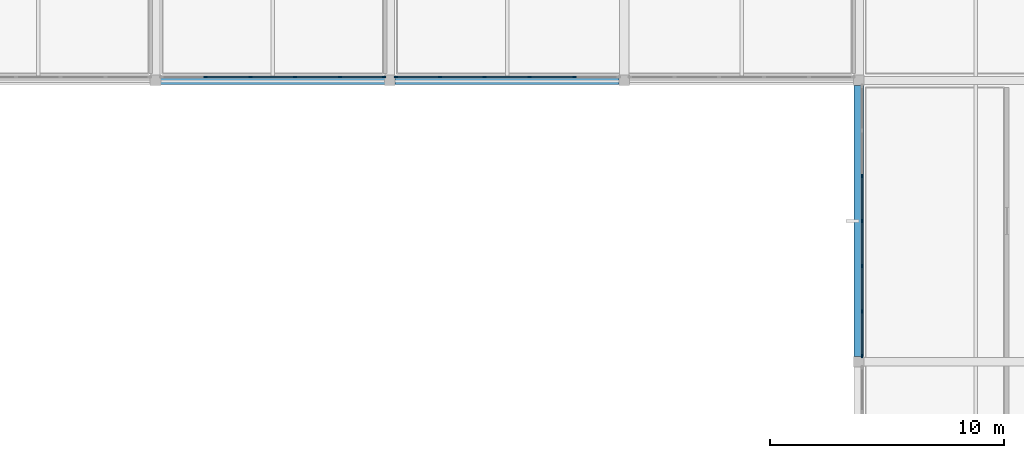
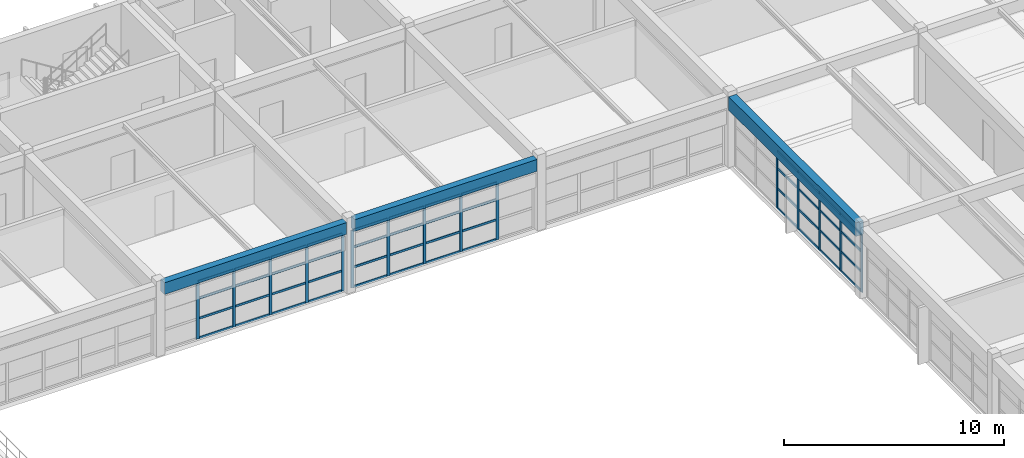
# One storey, part 6 of 21: 63 members, 3 beams, 3 elements without a shape of their own.
"""IFC4 building model written with IfcOpenShell, lengths in metres."""

from ifc_helpers import new_model, si_unit, direction, frame, origin, origin_2d, place, context, subcontext, project, spatial, rectangle, extrude, material, layer, layer_set, material_profile, profile_set, type_object, element, aggregate, save


model = new_model("IFC4")

# Units and contexts
model_context = context("Model", 3, precision=1e-05, world=origin(), true_north=direction((0.0, 1.0)))
body_context = subcontext(model_context, "Body", "Model", "MODEL_VIEW")
ifc_project = project(units=[si_unit("LENGTHUNIT", "METRE"), si_unit("AREAUNIT", "SQUARE_METRE"), si_unit("VOLUMEUNIT", "CUBIC_METRE"), si_unit("PLANEANGLEUNIT", "RADIAN"), si_unit("MASSUNIT", "GRAM", prefix="KILO")], contexts=[model_context])

# Site, building, storey
site_placement = place(None, origin())
site = spatial("IfcSite", under=ifc_project, at=site_placement, CompositionType="ELEMENT")
building_placement = place(site_placement, origin())
building = spatial("IfcBuilding", under=site, at=building_placement, Name="Kivolera Central Railway Station", CompositionType="ELEMENT")
storey_placement = place(building_placement, frame((0.0, 0.0, 22.800048828125)))
storey = spatial("IfcBuildingStorey", under=building, at=storey_placement, Name="L05", CompositionType="ELEMENT", Elevation=22.800048828125)

# Beams
ifc_material_1 = material(Name="Concrete C40/50", Category="concrete")
ifc_material_profile_1 = material_profile(ifc_material_1, rectangle(XDim=0.35009765625, YDim=0.64990234375, at=origin_2d()), Name="RC 350x650")
ifc_profile_set_1 = profile_set([ifc_material_profile_1], Name="Concrete C40/50")
beam_type_1 = type_object("IfcBeamType", Name="BM-RC-350x650", PredefinedType="BEAM", material=ifc_profile_set_1)
for number, where, z_axis, x_axis, name in (
    (1, (148.217041015625, 114.0, 3.625), (1.0, 0.0, 0.0), (0.0, 1.0, 0.0), "L05 Wing X-Beam K:15-16"),
    (2, (158.217041015625, 114.0, 3.625), (1.0, 0.0, 0.0), (0.0, 1.0, 0.0), "L05 Wing X-Beam K:16-17"),
):
    element("IfcBeam", number, at=place(storey_placement, frame(where, z_axis=z_axis, x_axis=x_axis)), inside=storey, type_object=beam_type_1, Name=name, PredefinedType="BEAM", context=body_context, shape_type="SweptSolid", body=[
        extrude(rectangle(XDim=0.35009765625, YDim=0.64990234375, at=origin_2d()), origin(), (0.0, 0.0, 1.0), 9.56591796875),
    ])
ifc_material_profile_2 = material_profile(ifc_material_1, rectangle(XDim=0.39990234375, YDim=0.75, at=origin_2d()), Name="RC 400x750")
ifc_profile_set_2 = profile_set([ifc_material_profile_2], Name="Concrete C40/50")
beam_type_2 = type_object("IfcBeamType", Name="BM-RC-400x750", PredefinedType="BEAM", material=ifc_profile_set_2)
beam_placement = place(storey_placement, frame((178.0, 102.217041015625, 3.574951171875), z_axis=(0.0, 1.0, 0.0), x_axis=(-1.0, 0.0, 0.0)))
element("IfcBeam", 3, at=beam_placement, inside=storey, type_object=beam_type_2, Name="L05 Wing Y-Beam 18:J-K", PredefinedType="BEAM", context=body_context, shape_type="SweptSolid", body=[
    extrude(rectangle(XDim=0.39990234375, YDim=0.75, at=origin_2d()), origin(), (0.0, 0.0, 1.0), 11.56591796875),
])

# Curtain wall, members
ifc_material_2 = material(Name="Anodised aluminium", Category="aluminium")
ifc_layer_1 = layer(ifc_material_2, 0.179931640625, Name="Anodised aluminium")
ifc_layer_set_1 = layer_set([ifc_layer_1], Name="Anodised aluminium")
curtain_wall_type_1 = type_object("IfcCurtainWallType", Name="CW-SYS-34", PredefinedType="NOTDEFINED", material=ifc_layer_set_1)
curtain_wall_1_placement = place(storey_placement, origin())
curtain_wall_1 = element("IfcCurtainWall", 4, at=curtain_wall_1_placement, inside=storey, type_object=curtain_wall_type_1, Name="L05 Curtain Wall CW-L05-CRTN-148", PredefinedType="NOTDEFINED")
ifc_material_profile_3 = material_profile(ifc_material_2, rectangle(XDim=0.06005859375, YDim=0.14990234375, at=origin_2d()), Name="ALU MULL 60x150")
ifc_profile_set_3 = profile_set([ifc_material_profile_3], Name="Anodised aluminium")
member_type_1 = type_object("IfcMemberType", Name="CWM-MUL-2", PredefinedType="MULLION", material=ifc_profile_set_3)
member_1_placement = place(storey_placement, frame((157.75, 114.135009765625, -0.005126953125), z_axis=(0.0, 0.0, 1.0), x_axis=(0.0, -1.0, 0.0)))
member_1 = element("IfcMember", 5, at=member_1_placement, type_object=member_type_1, Name="CW-34 mullion 1", PredefinedType="MULLION", context=body_context, shape_type="SweptSolid", body=[
    extrude(rectangle(XDim=0.06005859375, YDim=0.14990234375, at=origin_2d()), origin(), (0.0, 0.0, 1.0), 3.193115234375),
])
member_2_placement = place(storey_placement, frame((155.867919921875, 114.135009765625, -0.005126953125), z_axis=(0.0, 0.0, 1.0), x_axis=(0.0, -1.0, 0.0)))
member_2 = element("IfcMember", 6, at=member_2_placement, type_object=member_type_1, Name="CW-34 mullion 2", PredefinedType="MULLION", context=body_context, shape_type="SweptSolid", body=[
    extrude(rectangle(XDim=0.06005859375, YDim=0.14990234375, at=origin_2d()), origin(), (0.0, 0.0, 1.0), 3.193115234375),
])
member_3_placement = place(storey_placement, frame((153.9560546875, 114.135009765625, -0.005126953125), z_axis=(0.0, 0.0, 1.0), x_axis=(0.0, -1.0, 0.0)))
member_3 = element("IfcMember", 7, at=member_3_placement, type_object=member_type_1, Name="CW-34 mullion 3", PredefinedType="MULLION", context=body_context, shape_type="SweptSolid", body=[
    extrude(rectangle(XDim=0.06005859375, YDim=0.14990234375, at=origin_2d()), origin(), (0.0, 0.0, 1.0), 3.193115234375),
])
member_4_placement = place(storey_placement, frame((152.0439453125, 114.135009765625, -0.005126953125), z_axis=(0.0, 0.0, 1.0), x_axis=(0.0, -1.0, 0.0)))
member_4 = element("IfcMember", 8, at=member_4_placement, type_object=member_type_1, Name="CW-34 mullion 4", PredefinedType="MULLION", context=body_context, shape_type="SweptSolid", body=[
    extrude(rectangle(XDim=0.06005859375, YDim=0.14990234375, at=origin_2d()), origin(), (0.0, 0.0, 1.0), 3.193115234375),
])
member_5_placement = place(storey_placement, frame((150.132080078125, 114.135009765625, -0.005126953125), z_axis=(0.0, 0.0, 1.0), x_axis=(0.0, -1.0, 0.0)))
member_5 = element("IfcMember", 9, at=member_5_placement, type_object=member_type_1, Name="CW-34 mullion 5", PredefinedType="MULLION", context=body_context, shape_type="SweptSolid", body=[
    extrude(rectangle(XDim=0.06005859375, YDim=0.14990234375, at=origin_2d()), origin(), (0.0, 0.0, 1.0), 3.193115234375),
])

curtain_wall_2_placement = place(storey_placement, origin())
curtain_wall_2 = element("IfcCurtainWall", 10, at=curtain_wall_2_placement, inside=storey, type_object=curtain_wall_type_1, Name="L05 Curtain Wall CW-L05-CRTN-158", PredefinedType="NOTDEFINED")
member_6_placement = place(storey_placement, frame((165.867919921875, 114.135009765625, -0.005126953125), z_axis=(0.0, 0.0, 1.0), x_axis=(0.0, -1.0, 0.0)))
member_6 = element("IfcMember", 11, at=member_6_placement, type_object=member_type_1, Name="CW-34 mullion 2", PredefinedType="MULLION", context=body_context, shape_type="SweptSolid", body=[
    extrude(rectangle(XDim=0.06005859375, YDim=0.14990234375, at=origin_2d()), origin(), (0.0, 0.0, 1.0), 3.193115234375),
])
member_7_placement = place(storey_placement, frame((163.9560546875, 114.135009765625, -0.005126953125), z_axis=(0.0, 0.0, 1.0), x_axis=(0.0, -1.0, 0.0)))
member_7 = element("IfcMember", 12, at=member_7_placement, type_object=member_type_1, Name="CW-34 mullion 3", PredefinedType="MULLION", context=body_context, shape_type="SweptSolid", body=[
    extrude(rectangle(XDim=0.06005859375, YDim=0.14990234375, at=origin_2d()), origin(), (0.0, 0.0, 1.0), 3.193115234375),
])
member_8_placement = place(storey_placement, frame((162.0439453125, 114.135009765625, -0.005126953125), z_axis=(0.0, 0.0, 1.0), x_axis=(0.0, -1.0, 0.0)))
member_8 = element("IfcMember", 13, at=member_8_placement, type_object=member_type_1, Name="CW-34 mullion 4", PredefinedType="MULLION", context=body_context, shape_type="SweptSolid", body=[
    extrude(rectangle(XDim=0.06005859375, YDim=0.14990234375, at=origin_2d()), origin(), (0.0, 0.0, 1.0), 3.193115234375),
])
member_9_placement = place(storey_placement, frame((160.132080078125, 114.135009765625, -0.005126953125), z_axis=(0.0, 0.0, 1.0), x_axis=(0.0, -1.0, 0.0)))
member_9 = element("IfcMember", 14, at=member_9_placement, type_object=member_type_1, Name="CW-34 mullion 5", PredefinedType="MULLION", context=body_context, shape_type="SweptSolid", body=[
    extrude(rectangle(XDim=0.06005859375, YDim=0.14990234375, at=origin_2d()), origin(), (0.0, 0.0, 1.0), 3.193115234375),
])
member_10_placement = place(storey_placement, frame((158.25, 114.135009765625, -0.005126953125), z_axis=(0.0, 0.0, 1.0), x_axis=(0.0, -1.0, 0.0)))
member_10 = element("IfcMember", 15, at=member_10_placement, type_object=member_type_1, Name="CW-34 mullion 6", PredefinedType="MULLION", context=body_context, shape_type="SweptSolid", body=[
    extrude(rectangle(XDim=0.06005859375, YDim=0.14990234375, at=origin_2d()), origin(), (0.0, 0.0, 1.0), 3.193115234375),
])

ifc_layer_2 = layer(ifc_material_2, 0.179931640625, Name="Anodised aluminium")
ifc_layer_set_2 = layer_set([ifc_layer_2], Name="Anodised aluminium")
curtain_wall_type_2 = type_object("IfcCurtainWallType", Name="CW-SYS-35", PredefinedType="NOTDEFINED", material=ifc_layer_set_2)
curtain_wall_3_placement = place(storey_placement, origin())
curtain_wall_3 = element("IfcCurtainWall", 16, at=curtain_wall_3_placement, inside=storey, type_object=curtain_wall_type_2, Name="L05 Curtain Wall CW-L05-CRTE-J", PredefinedType="NOTDEFINED")
member_11_placement = place(storey_placement, frame((178.135009765625, 102.25, -0.005126953125), z_axis=(0.0, 0.0, 1.0), x_axis=(-1.0, 0.0, 0.0)))
member_11 = element("IfcMember", 17, at=member_11_placement, type_object=member_type_1, Name="CW-35 mullion 1", PredefinedType="MULLION", context=body_context, shape_type="SweptSolid", body=[
    extrude(rectangle(XDim=0.06005859375, YDim=0.14990234375, at=origin_2d()), origin(), (0.0, 0.0, 1.0), 3.193115234375),
])
member_12_placement = place(storey_placement, frame((178.135009765625, 104.146728515625, -0.005126953125), z_axis=(0.0, 0.0, 1.0), x_axis=(-1.0, 0.0, 0.0)))
member_12 = element("IfcMember", 18, at=member_12_placement, type_object=member_type_1, Name="CW-35 mullion 2", PredefinedType="MULLION", context=body_context, shape_type="SweptSolid", body=[
    extrude(rectangle(XDim=0.06005859375, YDim=0.14990234375, at=origin_2d()), origin(), (0.0, 0.0, 1.0), 3.193115234375),
])
member_13_placement = place(storey_placement, frame((178.135009765625, 106.0732421875, -0.005126953125), z_axis=(0.0, 0.0, 1.0), x_axis=(-1.0, 0.0, 0.0)))
member_13 = element("IfcMember", 19, at=member_13_placement, type_object=member_type_1, Name="CW-35 mullion 3", PredefinedType="MULLION", context=body_context, shape_type="SweptSolid", body=[
    extrude(rectangle(XDim=0.06005859375, YDim=0.14990234375, at=origin_2d()), origin(), (0.0, 0.0, 1.0), 3.193115234375),
])
member_14_placement = place(storey_placement, frame((178.135009765625, 108.0, -0.005126953125), z_axis=(0.0, 0.0, 1.0), x_axis=(-1.0, 0.0, 0.0)))
member_14 = element("IfcMember", 20, at=member_14_placement, type_object=member_type_1, Name="CW-35 mullion 4", PredefinedType="MULLION", context=body_context, shape_type="SweptSolid", body=[
    extrude(rectangle(XDim=0.06005859375, YDim=0.14990234375, at=origin_2d()), origin(), (0.0, 0.0, 1.0), 3.193115234375),
])
member_15_placement = place(storey_placement, frame((178.135009765625, 109.9267578125, -0.005126953125), z_axis=(0.0, 0.0, 1.0), x_axis=(-1.0, 0.0, 0.0)))
member_15 = element("IfcMember", 21, at=member_15_placement, type_object=member_type_1, Name="CW-35 mullion 5", PredefinedType="MULLION", context=body_context, shape_type="SweptSolid", body=[
    extrude(rectangle(XDim=0.06005859375, YDim=0.14990234375, at=origin_2d()), origin(), (0.0, 0.0, 1.0), 3.193115234375),
])

# Member
ifc_material_profile_4 = material_profile(ifc_material_2, rectangle(XDim=0.06005859375, YDim=0.1201171875, at=origin_2d()), Name="ALU TRAN 60x120")
ifc_profile_set_4 = profile_set([ifc_material_profile_4], Name="Anodised aluminium")
member_type_2 = type_object("IfcMemberType", Name="CWM-TRN-2", PredefinedType="USERDEFINED", material=ifc_profile_set_4)
member_16_placement = place(storey_placement, frame((157.719970703125, 114.135009765625, 0.030029296875), z_axis=(-1.0, 0.0, 0.0), x_axis=(0.0, -1.0, 0.0)))
member_16 = element("IfcMember", 22, at=member_16_placement, type_object=member_type_2, Name="CW-34 transom 1.1", ObjectType="TRANSOM", PredefinedType="USERDEFINED", context=body_context, shape_type="SweptSolid", body=[
    extrude(rectangle(XDim=0.06005859375, YDim=0.1201171875, at=origin_2d()), origin(), (0.0, 0.0, 1.0), 1.822021484375),
])

member_17_placement = place(storey_placement, frame((157.719970703125, 114.135009765625, 1.11572265625), z_axis=(-1.0, 0.0, 0.0), x_axis=(0.0, -1.0, 0.0)))
member_17 = element("IfcMember", 23, at=member_17_placement, type_object=member_type_2, Name="CW-34 transom 1.2", ObjectType="TRANSOM", PredefinedType="USERDEFINED", context=body_context, shape_type="SweptSolid", body=[
    extrude(rectangle(XDim=0.06005859375, YDim=0.1201171875, at=origin_2d()), origin(), (0.0, 0.0, 1.0), 1.822021484375),
])

member_18_placement = place(storey_placement, frame((157.719970703125, 114.135009765625, 2.2314453125), z_axis=(-1.0, 0.0, 0.0), x_axis=(0.0, -1.0, 0.0)))
member_18 = element("IfcMember", 24, at=member_18_placement, type_object=member_type_2, Name="CW-34 transom 1.3", ObjectType="TRANSOM", PredefinedType="USERDEFINED", context=body_context, shape_type="SweptSolid", body=[
    extrude(rectangle(XDim=0.06005859375, YDim=0.1201171875, at=origin_2d()), origin(), (0.0, 0.0, 1.0), 1.822021484375),
])

member_19_placement = place(storey_placement, frame((157.719970703125, 114.135009765625, 3.157958984375), z_axis=(-1.0, 0.0, 0.0), x_axis=(0.0, -1.0, 0.0)))
member_19 = element("IfcMember", 25, at=member_19_placement, type_object=member_type_2, Name="CW-34 transom 1.4", ObjectType="TRANSOM", PredefinedType="USERDEFINED", context=body_context, shape_type="SweptSolid", body=[
    extrude(rectangle(XDim=0.06005859375, YDim=0.1201171875, at=origin_2d()), origin(), (0.0, 0.0, 1.0), 1.822021484375),
])

member_20_placement = place(storey_placement, frame((155.837890625, 114.135009765625, 0.030029296875), z_axis=(-1.0, 0.0, 0.0), x_axis=(0.0, -1.0, 0.0)))
member_20 = element("IfcMember", 26, at=member_20_placement, type_object=member_type_2, Name="CW-34 transom 2.1", ObjectType="TRANSOM", PredefinedType="USERDEFINED", context=body_context, shape_type="SweptSolid", body=[
    extrude(rectangle(XDim=0.06005859375, YDim=0.1201171875, at=origin_2d()), origin(), (0.0, 0.0, 1.0), 1.851806640625),
])

member_21_placement = place(storey_placement, frame((155.837890625, 114.135009765625, 1.11572265625), z_axis=(-1.0, 0.0, 0.0), x_axis=(0.0, -1.0, 0.0)))
member_21 = element("IfcMember", 27, at=member_21_placement, type_object=member_type_2, Name="CW-34 transom 2.2", ObjectType="TRANSOM", PredefinedType="USERDEFINED", context=body_context, shape_type="SweptSolid", body=[
    extrude(rectangle(XDim=0.06005859375, YDim=0.1201171875, at=origin_2d()), origin(), (0.0, 0.0, 1.0), 1.851806640625),
])

member_22_placement = place(storey_placement, frame((155.837890625, 114.135009765625, 2.2314453125), z_axis=(-1.0, 0.0, 0.0), x_axis=(0.0, -1.0, 0.0)))
member_22 = element("IfcMember", 28, at=member_22_placement, type_object=member_type_2, Name="CW-34 transom 2.3", ObjectType="TRANSOM", PredefinedType="USERDEFINED", context=body_context, shape_type="SweptSolid", body=[
    extrude(rectangle(XDim=0.06005859375, YDim=0.1201171875, at=origin_2d()), origin(), (0.0, 0.0, 1.0), 1.851806640625),
])

member_23_placement = place(storey_placement, frame((155.837890625, 114.135009765625, 3.157958984375), z_axis=(-1.0, 0.0, 0.0), x_axis=(0.0, -1.0, 0.0)))
member_23 = element("IfcMember", 29, at=member_23_placement, type_object=member_type_2, Name="CW-34 transom 2.4", ObjectType="TRANSOM", PredefinedType="USERDEFINED", context=body_context, shape_type="SweptSolid", body=[
    extrude(rectangle(XDim=0.06005859375, YDim=0.1201171875, at=origin_2d()), origin(), (0.0, 0.0, 1.0), 1.851806640625),
])

member_24_placement = place(storey_placement, frame((153.926025390625, 114.135009765625, 0.030029296875), z_axis=(-1.0, 0.0, 0.0), x_axis=(0.0, -1.0, 0.0)))
member_24 = element("IfcMember", 30, at=member_24_placement, type_object=member_type_2, Name="CW-34 transom 3.1", ObjectType="TRANSOM", PredefinedType="USERDEFINED", context=body_context, shape_type="SweptSolid", body=[
    extrude(rectangle(XDim=0.06005859375, YDim=0.1201171875, at=origin_2d()), origin(), (0.0, 0.0, 1.0), 1.85205078125),
])

member_25_placement = place(storey_placement, frame((153.926025390625, 114.135009765625, 1.11572265625), z_axis=(-1.0, 0.0, 0.0), x_axis=(0.0, -1.0, 0.0)))
member_25 = element("IfcMember", 31, at=member_25_placement, type_object=member_type_2, Name="CW-34 transom 3.2", ObjectType="TRANSOM", PredefinedType="USERDEFINED", context=body_context, shape_type="SweptSolid", body=[
    extrude(rectangle(XDim=0.06005859375, YDim=0.1201171875, at=origin_2d()), origin(), (0.0, 0.0, 1.0), 1.85205078125),
])

member_26_placement = place(storey_placement, frame((153.926025390625, 114.135009765625, 2.2314453125), z_axis=(-1.0, 0.0, 0.0), x_axis=(0.0, -1.0, 0.0)))
member_26 = element("IfcMember", 32, at=member_26_placement, type_object=member_type_2, Name="CW-34 transom 3.3", ObjectType="TRANSOM", PredefinedType="USERDEFINED", context=body_context, shape_type="SweptSolid", body=[
    extrude(rectangle(XDim=0.06005859375, YDim=0.1201171875, at=origin_2d()), origin(), (0.0, 0.0, 1.0), 1.85205078125),
])

member_27_placement = place(storey_placement, frame((153.926025390625, 114.135009765625, 3.157958984375), z_axis=(-1.0, 0.0, 0.0), x_axis=(0.0, -1.0, 0.0)))
member_27 = element("IfcMember", 33, at=member_27_placement, type_object=member_type_2, Name="CW-34 transom 3.4", ObjectType="TRANSOM", PredefinedType="USERDEFINED", context=body_context, shape_type="SweptSolid", body=[
    extrude(rectangle(XDim=0.06005859375, YDim=0.1201171875, at=origin_2d()), origin(), (0.0, 0.0, 1.0), 1.85205078125),
])

member_28_placement = place(storey_placement, frame((152.013916015625, 114.135009765625, 0.030029296875), z_axis=(-1.0, 0.0, 0.0), x_axis=(0.0, -1.0, 0.0)))
member_28 = element("IfcMember", 34, at=member_28_placement, type_object=member_type_2, Name="CW-34 transom 4.1", ObjectType="TRANSOM", PredefinedType="USERDEFINED", context=body_context, shape_type="SweptSolid", body=[
    extrude(rectangle(XDim=0.06005859375, YDim=0.1201171875, at=origin_2d()), origin(), (0.0, 0.0, 1.0), 1.851806640625),
])

member_29_placement = place(storey_placement, frame((152.013916015625, 114.135009765625, 1.11572265625), z_axis=(-1.0, 0.0, 0.0), x_axis=(0.0, -1.0, 0.0)))
member_29 = element("IfcMember", 35, at=member_29_placement, type_object=member_type_2, Name="CW-34 transom 4.2", ObjectType="TRANSOM", PredefinedType="USERDEFINED", context=body_context, shape_type="SweptSolid", body=[
    extrude(rectangle(XDim=0.06005859375, YDim=0.1201171875, at=origin_2d()), origin(), (0.0, 0.0, 1.0), 1.851806640625),
])

member_30_placement = place(storey_placement, frame((152.013916015625, 114.135009765625, 2.2314453125), z_axis=(-1.0, 0.0, 0.0), x_axis=(0.0, -1.0, 0.0)))
member_30 = element("IfcMember", 36, at=member_30_placement, type_object=member_type_2, Name="CW-34 transom 4.3", ObjectType="TRANSOM", PredefinedType="USERDEFINED", context=body_context, shape_type="SweptSolid", body=[
    extrude(rectangle(XDim=0.06005859375, YDim=0.1201171875, at=origin_2d()), origin(), (0.0, 0.0, 1.0), 1.851806640625),
])

member_31_placement = place(storey_placement, frame((152.013916015625, 114.135009765625, 3.157958984375), z_axis=(-1.0, 0.0, 0.0), x_axis=(0.0, -1.0, 0.0)))
member_31 = element("IfcMember", 37, at=member_31_placement, type_object=member_type_2, Name="CW-34 transom 4.4", ObjectType="TRANSOM", PredefinedType="USERDEFINED", context=body_context, shape_type="SweptSolid", body=[
    extrude(rectangle(XDim=0.06005859375, YDim=0.1201171875, at=origin_2d()), origin(), (0.0, 0.0, 1.0), 1.851806640625),
])

aggregate(curtain_wall_1, [member_1, member_2, member_3, member_4, member_5, member_16, member_17, member_18, member_19, member_20, member_21, member_22, member_23, member_24, member_25, member_26, member_27, member_28, member_29, member_30, member_31])

member_32_placement = place(storey_placement, frame((165.837890625, 114.135009765625, 0.030029296875), z_axis=(-1.0, 0.0, 0.0), x_axis=(0.0, -1.0, 0.0)))
member_32 = element("IfcMember", 38, at=member_32_placement, type_object=member_type_2, Name="CW-34 transom 2.1", ObjectType="TRANSOM", PredefinedType="USERDEFINED", context=body_context, shape_type="SweptSolid", body=[
    extrude(rectangle(XDim=0.06005859375, YDim=0.1201171875, at=origin_2d()), origin(), (0.0, 0.0, 1.0), 1.851806640625),
])

member_33_placement = place(storey_placement, frame((165.837890625, 114.135009765625, 1.11572265625), z_axis=(-1.0, 0.0, 0.0), x_axis=(0.0, -1.0, 0.0)))
member_33 = element("IfcMember", 39, at=member_33_placement, type_object=member_type_2, Name="CW-34 transom 2.2", ObjectType="TRANSOM", PredefinedType="USERDEFINED", context=body_context, shape_type="SweptSolid", body=[
    extrude(rectangle(XDim=0.06005859375, YDim=0.1201171875, at=origin_2d()), origin(), (0.0, 0.0, 1.0), 1.851806640625),
])

member_34_placement = place(storey_placement, frame((165.837890625, 114.135009765625, 2.2314453125), z_axis=(-1.0, 0.0, 0.0), x_axis=(0.0, -1.0, 0.0)))
member_34 = element("IfcMember", 40, at=member_34_placement, type_object=member_type_2, Name="CW-34 transom 2.3", ObjectType="TRANSOM", PredefinedType="USERDEFINED", context=body_context, shape_type="SweptSolid", body=[
    extrude(rectangle(XDim=0.06005859375, YDim=0.1201171875, at=origin_2d()), origin(), (0.0, 0.0, 1.0), 1.851806640625),
])

member_35_placement = place(storey_placement, frame((165.837890625, 114.135009765625, 3.157958984375), z_axis=(-1.0, 0.0, 0.0), x_axis=(0.0, -1.0, 0.0)))
member_35 = element("IfcMember", 41, at=member_35_placement, type_object=member_type_2, Name="CW-34 transom 2.4", ObjectType="TRANSOM", PredefinedType="USERDEFINED", context=body_context, shape_type="SweptSolid", body=[
    extrude(rectangle(XDim=0.06005859375, YDim=0.1201171875, at=origin_2d()), origin(), (0.0, 0.0, 1.0), 1.851806640625),
])

member_36_placement = place(storey_placement, frame((163.926025390625, 114.135009765625, 0.030029296875), z_axis=(-1.0, 0.0, 0.0), x_axis=(0.0, -1.0, 0.0)))
member_36 = element("IfcMember", 42, at=member_36_placement, type_object=member_type_2, Name="CW-34 transom 3.1", ObjectType="TRANSOM", PredefinedType="USERDEFINED", context=body_context, shape_type="SweptSolid", body=[
    extrude(rectangle(XDim=0.06005859375, YDim=0.1201171875, at=origin_2d()), origin(), (0.0, 0.0, 1.0), 1.85205078125),
])

member_37_placement = place(storey_placement, frame((163.926025390625, 114.135009765625, 1.11572265625), z_axis=(-1.0, 0.0, 0.0), x_axis=(0.0, -1.0, 0.0)))
member_37 = element("IfcMember", 43, at=member_37_placement, type_object=member_type_2, Name="CW-34 transom 3.2", ObjectType="TRANSOM", PredefinedType="USERDEFINED", context=body_context, shape_type="SweptSolid", body=[
    extrude(rectangle(XDim=0.06005859375, YDim=0.1201171875, at=origin_2d()), origin(), (0.0, 0.0, 1.0), 1.85205078125),
])

member_38_placement = place(storey_placement, frame((163.926025390625, 114.135009765625, 2.2314453125), z_axis=(-1.0, 0.0, 0.0), x_axis=(0.0, -1.0, 0.0)))
member_38 = element("IfcMember", 44, at=member_38_placement, type_object=member_type_2, Name="CW-34 transom 3.3", ObjectType="TRANSOM", PredefinedType="USERDEFINED", context=body_context, shape_type="SweptSolid", body=[
    extrude(rectangle(XDim=0.06005859375, YDim=0.1201171875, at=origin_2d()), origin(), (0.0, 0.0, 1.0), 1.85205078125),
])

member_39_placement = place(storey_placement, frame((163.926025390625, 114.135009765625, 3.157958984375), z_axis=(-1.0, 0.0, 0.0), x_axis=(0.0, -1.0, 0.0)))
member_39 = element("IfcMember", 45, at=member_39_placement, type_object=member_type_2, Name="CW-34 transom 3.4", ObjectType="TRANSOM", PredefinedType="USERDEFINED", context=body_context, shape_type="SweptSolid", body=[
    extrude(rectangle(XDim=0.06005859375, YDim=0.1201171875, at=origin_2d()), origin(), (0.0, 0.0, 1.0), 1.85205078125),
])

member_40_placement = place(storey_placement, frame((162.013916015625, 114.135009765625, 0.030029296875), z_axis=(-1.0, 0.0, 0.0), x_axis=(0.0, -1.0, 0.0)))
member_40 = element("IfcMember", 46, at=member_40_placement, type_object=member_type_2, Name="CW-34 transom 4.1", ObjectType="TRANSOM", PredefinedType="USERDEFINED", context=body_context, shape_type="SweptSolid", body=[
    extrude(rectangle(XDim=0.06005859375, YDim=0.1201171875, at=origin_2d()), origin(), (0.0, 0.0, 1.0), 1.851806640625),
])

member_41_placement = place(storey_placement, frame((162.013916015625, 114.135009765625, 1.11572265625), z_axis=(-1.0, 0.0, 0.0), x_axis=(0.0, -1.0, 0.0)))
member_41 = element("IfcMember", 47, at=member_41_placement, type_object=member_type_2, Name="CW-34 transom 4.2", ObjectType="TRANSOM", PredefinedType="USERDEFINED", context=body_context, shape_type="SweptSolid", body=[
    extrude(rectangle(XDim=0.06005859375, YDim=0.1201171875, at=origin_2d()), origin(), (0.0, 0.0, 1.0), 1.851806640625),
])

member_42_placement = place(storey_placement, frame((162.013916015625, 114.135009765625, 2.2314453125), z_axis=(-1.0, 0.0, 0.0), x_axis=(0.0, -1.0, 0.0)))
member_42 = element("IfcMember", 48, at=member_42_placement, type_object=member_type_2, Name="CW-34 transom 4.3", ObjectType="TRANSOM", PredefinedType="USERDEFINED", context=body_context, shape_type="SweptSolid", body=[
    extrude(rectangle(XDim=0.06005859375, YDim=0.1201171875, at=origin_2d()), origin(), (0.0, 0.0, 1.0), 1.851806640625),
])

member_43_placement = place(storey_placement, frame((162.013916015625, 114.135009765625, 3.157958984375), z_axis=(-1.0, 0.0, 0.0), x_axis=(0.0, -1.0, 0.0)))
member_43 = element("IfcMember", 49, at=member_43_placement, type_object=member_type_2, Name="CW-34 transom 4.4", ObjectType="TRANSOM", PredefinedType="USERDEFINED", context=body_context, shape_type="SweptSolid", body=[
    extrude(rectangle(XDim=0.06005859375, YDim=0.1201171875, at=origin_2d()), origin(), (0.0, 0.0, 1.0), 1.851806640625),
])

member_44_placement = place(storey_placement, frame((160.10205078125, 114.135009765625, 0.030029296875), z_axis=(-1.0, 0.0, 0.0), x_axis=(0.0, -1.0, 0.0)))
member_44 = element("IfcMember", 50, at=member_44_placement, type_object=member_type_2, Name="CW-34 transom 5.1", ObjectType="TRANSOM", PredefinedType="USERDEFINED", context=body_context, shape_type="SweptSolid", body=[
    extrude(rectangle(XDim=0.06005859375, YDim=0.1201171875, at=origin_2d()), origin(), (0.0, 0.0, 1.0), 1.822021484375),
])

member_45_placement = place(storey_placement, frame((160.10205078125, 114.135009765625, 1.11572265625), z_axis=(-1.0, 0.0, 0.0), x_axis=(0.0, -1.0, 0.0)))
member_45 = element("IfcMember", 51, at=member_45_placement, type_object=member_type_2, Name="CW-34 transom 5.2", ObjectType="TRANSOM", PredefinedType="USERDEFINED", context=body_context, shape_type="SweptSolid", body=[
    extrude(rectangle(XDim=0.06005859375, YDim=0.1201171875, at=origin_2d()), origin(), (0.0, 0.0, 1.0), 1.822021484375),
])

member_46_placement = place(storey_placement, frame((160.10205078125, 114.135009765625, 2.2314453125), z_axis=(-1.0, 0.0, 0.0), x_axis=(0.0, -1.0, 0.0)))
member_46 = element("IfcMember", 52, at=member_46_placement, type_object=member_type_2, Name="CW-34 transom 5.3", ObjectType="TRANSOM", PredefinedType="USERDEFINED", context=body_context, shape_type="SweptSolid", body=[
    extrude(rectangle(XDim=0.06005859375, YDim=0.1201171875, at=origin_2d()), origin(), (0.0, 0.0, 1.0), 1.822021484375),
])

member_47_placement = place(storey_placement, frame((160.10205078125, 114.135009765625, 3.157958984375), z_axis=(-1.0, 0.0, 0.0), x_axis=(0.0, -1.0, 0.0)))
member_47 = element("IfcMember", 53, at=member_47_placement, type_object=member_type_2, Name="CW-34 transom 5.4", ObjectType="TRANSOM", PredefinedType="USERDEFINED", context=body_context, shape_type="SweptSolid", body=[
    extrude(rectangle(XDim=0.06005859375, YDim=0.1201171875, at=origin_2d()), origin(), (0.0, 0.0, 1.0), 1.822021484375),
])

aggregate(curtain_wall_2, [member_6, member_7, member_8, member_9, member_10, member_32, member_33, member_34, member_35, member_36, member_37, member_38, member_39, member_40, member_41, member_42, member_43, member_44, member_45, member_46, member_47])

member_48_placement = place(storey_placement, frame((178.135009765625, 102.280029296875, 0.030029296875), z_axis=(0.0, 1.0, 0.0), x_axis=(-1.0, 0.0, 0.0)))
member_48 = element("IfcMember", 54, at=member_48_placement, type_object=member_type_2, Name="CW-35 transom 1.1", ObjectType="TRANSOM", PredefinedType="USERDEFINED", context=body_context, shape_type="SweptSolid", body=[
    extrude(rectangle(XDim=0.06005859375, YDim=0.1201171875, at=origin_2d()), origin(), (0.0, 0.0, 1.0), 1.836669921875),
])

member_49_placement = place(storey_placement, frame((178.135009765625, 102.280029296875, 1.11572265625), z_axis=(0.0, 1.0, 0.0), x_axis=(-1.0, 0.0, 0.0)))
member_49 = element("IfcMember", 55, at=member_49_placement, type_object=member_type_2, Name="CW-35 transom 1.2", ObjectType="TRANSOM", PredefinedType="USERDEFINED", context=body_context, shape_type="SweptSolid", body=[
    extrude(rectangle(XDim=0.06005859375, YDim=0.1201171875, at=origin_2d()), origin(), (0.0, 0.0, 1.0), 1.836669921875),
])

member_50_placement = place(storey_placement, frame((178.135009765625, 102.280029296875, 2.2314453125), z_axis=(0.0, 1.0, 0.0), x_axis=(-1.0, 0.0, 0.0)))
member_50 = element("IfcMember", 56, at=member_50_placement, type_object=member_type_2, Name="CW-35 transom 1.3", ObjectType="TRANSOM", PredefinedType="USERDEFINED", context=body_context, shape_type="SweptSolid", body=[
    extrude(rectangle(XDim=0.06005859375, YDim=0.1201171875, at=origin_2d()), origin(), (0.0, 0.0, 1.0), 1.836669921875),
])

member_51_placement = place(storey_placement, frame((178.135009765625, 102.280029296875, 3.157958984375), z_axis=(0.0, 1.0, 0.0), x_axis=(-1.0, 0.0, 0.0)))
member_51 = element("IfcMember", 57, at=member_51_placement, type_object=member_type_2, Name="CW-35 transom 1.4", ObjectType="TRANSOM", PredefinedType="USERDEFINED", context=body_context, shape_type="SweptSolid", body=[
    extrude(rectangle(XDim=0.06005859375, YDim=0.1201171875, at=origin_2d()), origin(), (0.0, 0.0, 1.0), 1.836669921875),
])

member_52_placement = place(storey_placement, frame((178.135009765625, 104.1767578125, 0.030029296875), z_axis=(0.0, 1.0, 0.0), x_axis=(-1.0, 0.0, 0.0)))
member_52 = element("IfcMember", 58, at=member_52_placement, type_object=member_type_2, Name="CW-35 transom 2.1", ObjectType="TRANSOM", PredefinedType="USERDEFINED", context=body_context, shape_type="SweptSolid", body=[
    extrude(rectangle(XDim=0.06005859375, YDim=0.1201171875, at=origin_2d()), origin(), (0.0, 0.0, 1.0), 1.866455078125),
])

member_53_placement = place(storey_placement, frame((178.135009765625, 104.1767578125, 1.11572265625), z_axis=(0.0, 1.0, 0.0), x_axis=(-1.0, 0.0, 0.0)))
member_53 = element("IfcMember", 59, at=member_53_placement, type_object=member_type_2, Name="CW-35 transom 2.2", ObjectType="TRANSOM", PredefinedType="USERDEFINED", context=body_context, shape_type="SweptSolid", body=[
    extrude(rectangle(XDim=0.06005859375, YDim=0.1201171875, at=origin_2d()), origin(), (0.0, 0.0, 1.0), 1.866455078125),
])

member_54_placement = place(storey_placement, frame((178.135009765625, 104.1767578125, 2.2314453125), z_axis=(0.0, 1.0, 0.0), x_axis=(-1.0, 0.0, 0.0)))
member_54 = element("IfcMember", 60, at=member_54_placement, type_object=member_type_2, Name="CW-35 transom 2.3", ObjectType="TRANSOM", PredefinedType="USERDEFINED", context=body_context, shape_type="SweptSolid", body=[
    extrude(rectangle(XDim=0.06005859375, YDim=0.1201171875, at=origin_2d()), origin(), (0.0, 0.0, 1.0), 1.866455078125),
])

member_55_placement = place(storey_placement, frame((178.135009765625, 104.1767578125, 3.157958984375), z_axis=(0.0, 1.0, 0.0), x_axis=(-1.0, 0.0, 0.0)))
member_55 = element("IfcMember", 61, at=member_55_placement, type_object=member_type_2, Name="CW-35 transom 2.4", ObjectType="TRANSOM", PredefinedType="USERDEFINED", context=body_context, shape_type="SweptSolid", body=[
    extrude(rectangle(XDim=0.06005859375, YDim=0.1201171875, at=origin_2d()), origin(), (0.0, 0.0, 1.0), 1.866455078125),
])

member_56_placement = place(storey_placement, frame((178.135009765625, 106.103271484375, 0.030029296875), z_axis=(0.0, 1.0, 0.0), x_axis=(-1.0, 0.0, 0.0)))
member_56 = element("IfcMember", 62, at=member_56_placement, type_object=member_type_2, Name="CW-35 transom 3.1", ObjectType="TRANSOM", PredefinedType="USERDEFINED", context=body_context, shape_type="SweptSolid", body=[
    extrude(rectangle(XDim=0.06005859375, YDim=0.1201171875, at=origin_2d()), origin(), (0.0, 0.0, 1.0), 1.86669921875),
])

member_57_placement = place(storey_placement, frame((178.135009765625, 106.103271484375, 1.11572265625), z_axis=(0.0, 1.0, 0.0), x_axis=(-1.0, 0.0, 0.0)))
member_57 = element("IfcMember", 63, at=member_57_placement, type_object=member_type_2, Name="CW-35 transom 3.2", ObjectType="TRANSOM", PredefinedType="USERDEFINED", context=body_context, shape_type="SweptSolid", body=[
    extrude(rectangle(XDim=0.06005859375, YDim=0.1201171875, at=origin_2d()), origin(), (0.0, 0.0, 1.0), 1.86669921875),
])

member_58_placement = place(storey_placement, frame((178.135009765625, 106.103271484375, 2.2314453125), z_axis=(0.0, 1.0, 0.0), x_axis=(-1.0, 0.0, 0.0)))
member_58 = element("IfcMember", 64, at=member_58_placement, type_object=member_type_2, Name="CW-35 transom 3.3", ObjectType="TRANSOM", PredefinedType="USERDEFINED", context=body_context, shape_type="SweptSolid", body=[
    extrude(rectangle(XDim=0.06005859375, YDim=0.1201171875, at=origin_2d()), origin(), (0.0, 0.0, 1.0), 1.86669921875),
])

member_59_placement = place(storey_placement, frame((178.135009765625, 106.103271484375, 3.157958984375), z_axis=(0.0, 1.0, 0.0), x_axis=(-1.0, 0.0, 0.0)))
member_59 = element("IfcMember", 65, at=member_59_placement, type_object=member_type_2, Name="CW-35 transom 3.4", ObjectType="TRANSOM", PredefinedType="USERDEFINED", context=body_context, shape_type="SweptSolid", body=[
    extrude(rectangle(XDim=0.06005859375, YDim=0.1201171875, at=origin_2d()), origin(), (0.0, 0.0, 1.0), 1.86669921875),
])

member_60_placement = place(storey_placement, frame((178.135009765625, 108.030029296875, 0.030029296875), z_axis=(0.0, 1.0, 0.0), x_axis=(-1.0, 0.0, 0.0)))
member_60 = element("IfcMember", 66, at=member_60_placement, type_object=member_type_2, Name="CW-35 transom 4.1", ObjectType="TRANSOM", PredefinedType="USERDEFINED", context=body_context, shape_type="SweptSolid", body=[
    extrude(rectangle(XDim=0.06005859375, YDim=0.1201171875, at=origin_2d()), origin(), (0.0, 0.0, 1.0), 1.86669921875),
])

member_61_placement = place(storey_placement, frame((178.135009765625, 108.030029296875, 1.11572265625), z_axis=(0.0, 1.0, 0.0), x_axis=(-1.0, 0.0, 0.0)))
member_61 = element("IfcMember", 67, at=member_61_placement, type_object=member_type_2, Name="CW-35 transom 4.2", ObjectType="TRANSOM", PredefinedType="USERDEFINED", context=body_context, shape_type="SweptSolid", body=[
    extrude(rectangle(XDim=0.06005859375, YDim=0.1201171875, at=origin_2d()), origin(), (0.0, 0.0, 1.0), 1.86669921875),
])

member_62_placement = place(storey_placement, frame((178.135009765625, 108.030029296875, 2.2314453125), z_axis=(0.0, 1.0, 0.0), x_axis=(-1.0, 0.0, 0.0)))
member_62 = element("IfcMember", 68, at=member_62_placement, type_object=member_type_2, Name="CW-35 transom 4.3", ObjectType="TRANSOM", PredefinedType="USERDEFINED", context=body_context, shape_type="SweptSolid", body=[
    extrude(rectangle(XDim=0.06005859375, YDim=0.1201171875, at=origin_2d()), origin(), (0.0, 0.0, 1.0), 1.86669921875),
])

member_63_placement = place(storey_placement, frame((178.135009765625, 108.030029296875, 3.157958984375), z_axis=(0.0, 1.0, 0.0), x_axis=(-1.0, 0.0, 0.0)))
member_63 = element("IfcMember", 69, at=member_63_placement, type_object=member_type_2, Name="CW-35 transom 4.4", ObjectType="TRANSOM", PredefinedType="USERDEFINED", context=body_context, shape_type="SweptSolid", body=[
    extrude(rectangle(XDim=0.06005859375, YDim=0.1201171875, at=origin_2d()), origin(), (0.0, 0.0, 1.0), 1.86669921875),
])

aggregate(curtain_wall_3, [member_11, member_12, member_13, member_14, member_15, member_48, member_49, member_50, member_51, member_52, member_53, member_54, member_55, member_56, member_57, member_58, member_59, member_60, member_61, member_62, member_63])

save(model, "model.ifc")
